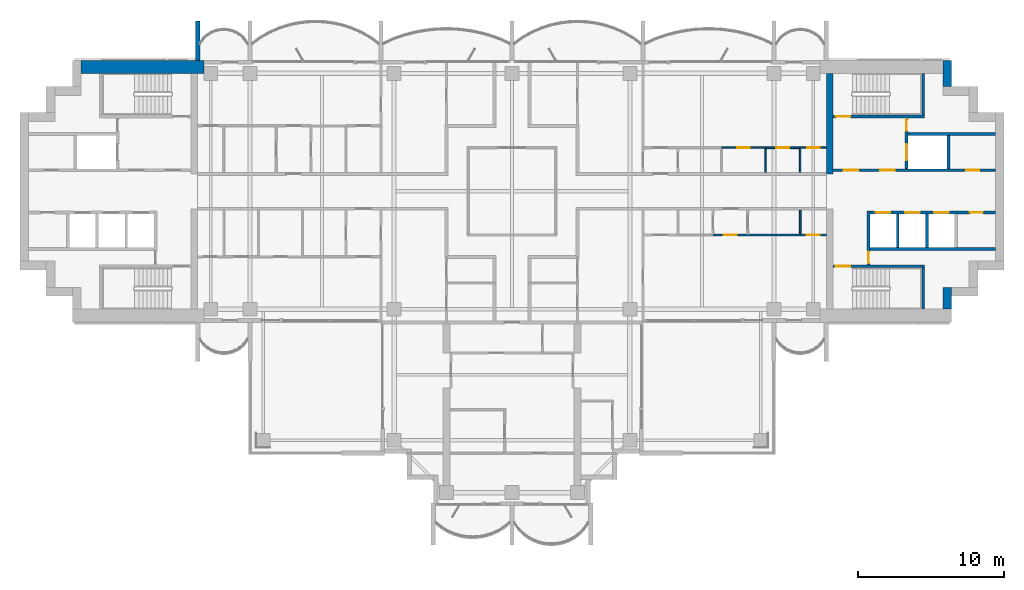
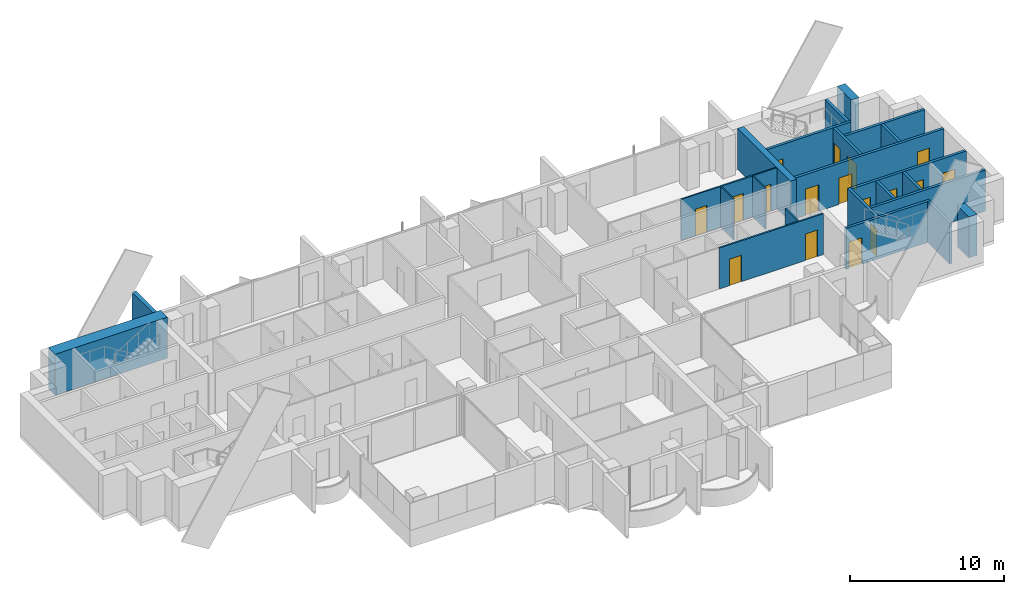
# One storey, part 12 of 17: 25 walls, 17 doors, 17 openings.
"""IFC4 building model written with IfcOpenShell, lengths in metres."""

from ifc_helpers import new_model, si_unit, direction, frame, frame_2d, origin, place, context, subcontext, project, spatial, rectangle, extrude, material, layer, layer_set, type_object, element, fill, save


model = new_model("IFC4")

# Units and contexts
model_context = context("Model", 3, precision=1e-05, world=origin(), true_north=direction((0.0, 1.0)))
body_context = subcontext(model_context, "Body", "Model", "MODEL_VIEW")
ifc_project = project(units=[si_unit("LENGTHUNIT", "METRE"), si_unit("AREAUNIT", "SQUARE_METRE"), si_unit("VOLUMEUNIT", "CUBIC_METRE"), si_unit("PLANEANGLEUNIT", "RADIAN"), si_unit("MASSUNIT", "GRAM", prefix="KILO")], contexts=[model_context])

# Site, building, storey
site_placement = place(None, origin())
site = spatial("IfcSite", under=ifc_project, at=site_placement, CompositionType="ELEMENT")
building_placement = place(site_placement, origin())
building = spatial("IfcBuilding", under=site, at=building_placement, Name="Perihelion Cross Residences", CompositionType="ELEMENT")
storey_placement = place(building_placement, frame((0.0, 0.0, 187.60009765625)))
storey = spatial("IfcBuildingStorey", under=building, at=storey_placement, Name="L46", CompositionType="ELEMENT", Elevation=187.60009765625)

# Walls
ifc_material_1 = material(Name="Concrete C60/75", Category="concrete")
ifc_layer_1 = layer(ifc_material_1, 0.449951171875)
ifc_layer_set_1 = layer_set([ifc_layer_1], Name="Core wall, inner 450")
wall_type_1 = type_object("IfcWallType", Name="Core wall, inner 450", PredefinedType="SHEAR", material=ifc_layer_set_1)
wall_1_placement = place(storey_placement, frame((21.824951171875, 1.199951171875, 0.0), z_axis=(0.0, 0.0, 1.0), x_axis=(0.0, 1.0, 0.0)))
element("IfcWall", 1, at=wall_1_placement, inside=storey, type_object=wall_type_1, Name="East core core wall, inner", PredefinedType="SHEAR", context=body_context, shape_type="SweptSolid", body=[
    extrude(rectangle(XDim=6.900146484375, YDim=0.449951171875, at=frame_2d((3.4501953125, 0.0))), origin(), (0.0, 0.0, 1.0), 3.25),
])
ifc_material_2 = material(Name="Concrete C60/75", Category="concrete")
ifc_layer_2 = layer(ifc_material_2, 0.60009765625)
ifc_layer_set_2 = layer_set([ifc_layer_2], Name="Core wall, outer 600")
wall_type_2 = type_object("IfcWallType", Name="Core wall, outer 600", PredefinedType="SHEAR", material=ifc_layer_set_2)
wall_2_placement = place(storey_placement, frame((29.89990234375, -8.10009765625, 0.0), z_axis=(0.0, 0.0, 1.0), x_axis=(0.0, 1.0, 0.0)))
element("IfcWall", 2, at=wall_2_placement, inside=storey, type_object=wall_type_2, Name="East core core wall, outer", PredefinedType="SHEAR", context=body_context, shape_type="SweptSolid", body=[
    extrude(rectangle(XDim=1.5, YDim=0.60009765625, at=frame_2d((0.75, 0.0))), origin(), (0.0, 0.0, 1.0), 3.25),
])
wall_3_placement = place(storey_placement, frame((29.89990234375, 7.199951171875, 0.0), z_axis=(0.0, 0.0, 1.0), x_axis=(0.0, 1.0, 0.0)))
element("IfcWall", 3, at=wall_3_placement, inside=storey, type_object=wall_type_2, Name="East core core wall, outer", PredefinedType="SHEAR", context=body_context, shape_type="SweptSolid", body=[
    extrude(rectangle(XDim=1.800048828125, YDim=0.60009765625, at=frame_2d((0.89990234375, 0.0))), origin(), (0.0, 0.0, 1.0), 3.25),
])
ifc_material_3 = material(Name="Concrete C60/75", Category="concrete")
ifc_layer_3 = layer(ifc_material_3, 0.89990234375)
ifc_layer_set_3 = layer_set([ifc_layer_3], Name="Core wall, outer 900")
wall_type_3 = type_object("IfcWallType", Name="Core wall, outer 900", PredefinedType="SHEAR", material=ifc_layer_set_3)
wall_4_placement = place(storey_placement, frame((-29.60009765625, 8.550048828125, 0.0), z_axis=(0.0, 0.0, 1.0), x_axis=(1.0, 0.0, 0.0)))
element("IfcWall", 4, at=wall_4_placement, inside=storey, type_object=wall_type_3, Name="West core core wall, outer", PredefinedType="SHEAR", context=body_context, shape_type="SweptSolid", body=[
    extrude(rectangle(XDim=8.425048828125, YDim=0.89990234375, at=frame_2d((4.21240234375, 0.0))), origin(), (0.0, 0.0, 1.0), 3.25),
])

# Wall, opening, door
ifc_material_4 = material(Name="Concrete C50/60", Category="concrete")
ifc_layer_4 = layer(ifc_material_4, 0.199951171875)
ifc_layer_set_4 = layer_set([ifc_layer_4], Name="Lobby wall 200")
wall_type_4 = type_object("IfcWallType", Name="Lobby wall 200", PredefinedType="SOLIDWALL", material=ifc_layer_set_4)
wall_5_placement = place(storey_placement, frame((24.5, -5.050048828125, 0.0), z_axis=(0.0, 0.0, 1.0), x_axis=(0.0, 1.0, 0.0)))
wall_5 = element("IfcWall", 5, at=wall_5_placement, inside=storey, type_object=wall_type_4, Name="East core lobby wall", PredefinedType="SOLIDWALL", context=body_context, shape_type="SweptSolid", body=[
    extrude(rectangle(XDim=3.699951171875, YDim=0.199951171875, at=frame_2d((1.85009765625, 0.0))), origin(), (0.0, 0.0, 1.0), 3.25),
])
opening_1_placement = place(wall_5_placement, frame((0.10009765625, 0.0, 0.0)))
opening_1 = element("IfcOpeningElement", 6, at=opening_1_placement, cuts=wall_5, Name="Opening L46.C08", PredefinedType="OPENING", context=body_context, shape_type="SweptSolid", body=[
    extrude(rectangle(XDim=0.800048828125, YDim=2.10009765625, at=frame_2d((0.39990234375, 1.050048828125))), frame((0.0, 0.10986328125, 0.0), z_axis=(0.0, -1.0, 0.0), x_axis=(1.0, 0.0, 0.0)), (0.0, 0.0, 1.0), 0.219970703125),
])
ifc_material_5 = material(Name="Steel, powder coated", Category="steel")
door_type_1 = type_object("IfcDoorType", Name="Riser door 800", OperationType="SINGLE_SWING_LEFT", PredefinedType="DOOR", material=ifc_material_5)
door_1_placement = place(opening_1_placement, origin())
door_1 = element("IfcDoor", 7, at=door_1_placement, inside=storey, type_object=door_type_1, Name="East core riser door", OperationType="SINGLE_SWING_LEFT", OverallHeight=2.10009765625, OverallWidth=0.800048828125, PredefinedType="DOOR", context=body_context, shape_type="SweptSolid", body=[
    extrude(rectangle(XDim=0.800048828125, YDim=2.10009765625, at=frame_2d((0.39990234375, 1.050048828125))), frame((0.0, 0.02490234375, 0.0), z_axis=(0.0, -1.0, 0.0), x_axis=(1.0, 0.0, 0.0)), (0.0, 0.0, 1.0), 0.050048828125),
])
fill(opening_1, door_1)

ifc_material_6 = material(Name="Plasterboard partition")
ifc_layer_5 = layer(ifc_material_6, 0.1201171875)
ifc_layer_set_5 = layer_set([ifc_layer_5], Name="Partition wall 120")
wall_type_5 = type_object("IfcWallType", Name="Partition wall 120", PredefinedType="PARTITIONING", material=ifc_layer_set_5)
wall_6_placement = place(storey_placement, frame((17.39990234375, 3.0, 0.0), z_axis=(0.0, 0.0, 1.0), x_axis=(1.0, 0.0, 0.0)))
wall_6 = element("IfcWall", 8, at=wall_6_placement, inside=storey, type_object=wall_type_5, Name="Partition L46 W029", PredefinedType="PARTITIONING", context=body_context, shape_type="SweptSolid", body=[
    extrude(rectangle(XDim=2.400146484375, YDim=0.1201171875, at=frame_2d((1.2001953125, 0.0))), origin(), (0.0, 0.0, 1.0), 3.25),
])
opening_2_placement = place(wall_6_placement, frame((0.75, 0.0, 0.0)))
opening_2 = element("IfcOpeningElement", 9, at=opening_2_placement, cuts=wall_6, Name="Opening L46.A08", PredefinedType="OPENING", context=body_context, shape_type="SweptSolid", body=[
    extrude(rectangle(XDim=0.89990234375, YDim=2.10009765625, at=frame_2d((0.449951171875, 1.050048828125))), frame((0.0, 0.070068359375, 0.0), z_axis=(0.0, -1.0, 0.0), x_axis=(1.0, 0.0, 0.0)), (0.0, 0.0, 1.0), 0.14013671875),
])
ifc_material_7 = material(Name="Timber door leaf", Category="wood")
door_type_2 = type_object("IfcDoorType", Name="Interior room door 900 x 2100", OperationType="SINGLE_SWING_LEFT", PredefinedType="DOOR", material=ifc_material_7)
door_2_placement = place(opening_2_placement, origin())
door_2 = element("IfcDoor", 10, at=door_2_placement, inside=storey, type_object=door_type_2, Name="Door L46.A08", OperationType="SINGLE_SWING_RIGHT", OverallHeight=2.10009765625, OverallWidth=0.89990234375, PredefinedType="DOOR", context=body_context, shape_type="SweptSolid", body=[
    extrude(rectangle(XDim=0.89990234375, YDim=2.10009765625, at=frame_2d((0.449951171875, 1.050048828125))), frame((0.0, 0.02490234375, 0.0), z_axis=(0.0, -1.0, 0.0), x_axis=(1.0, 0.0, 0.0)), (0.0, 0.0, 1.0), 0.050048828125),
])
fill(opening_2, door_2)

# Wall, openings, doors
wall_7_placement = place(storey_placement, frame((21.60009765625, -3.0, 0.0), z_axis=(0.0, 0.0, 1.0), x_axis=(-1.0, 0.0, 0.0)))
wall_7 = element("IfcWall", 11, at=wall_7_placement, inside=storey, type_object=wall_type_5, Name="Partition L46 W038", PredefinedType="PARTITIONING", context=body_context, shape_type="SweptSolid", body=[
    extrude(rectangle(XDim=7.800048828125, YDim=0.1201171875, at=frame_2d((3.89990234375, 0.0))), origin(), (0.0, 0.0, 1.0), 3.25),
])
opening_3_placement = place(wall_7_placement, frame((0.449951171875, 0.0, 0.0)))
opening_3 = element("IfcOpeningElement", 12, at=opening_3_placement, cuts=wall_7, Name="Opening L46.A11", PredefinedType="OPENING", context=body_context, shape_type="SweptSolid", body=[
    extrude(rectangle(XDim=0.89990234375, YDim=2.10009765625, at=frame_2d((0.449951171875, 1.050048828125))), frame((0.0, 0.070068359375, 0.0), z_axis=(0.0, -1.0, 0.0), x_axis=(1.0, 0.0, 0.0)), (0.0, 0.0, 1.0), 0.14013671875),
])
opening_4_placement = place(wall_7_placement, frame((6.14990234375, 0.0, 0.0)))
opening_4 = element("IfcOpeningElement", 13, at=opening_4_placement, cuts=wall_7, Name="Opening L46.A15", PredefinedType="OPENING", context=body_context, shape_type="SweptSolid", body=[
    extrude(rectangle(XDim=0.89990234375, YDim=2.10009765625, at=frame_2d((0.449951171875, 1.050048828125))), frame((0.0, 0.070068359375, 0.0), z_axis=(0.0, -1.0, 0.0), x_axis=(1.0, 0.0, 0.0)), (0.0, 0.0, 1.0), 0.14013671875),
])
door_3_placement = place(opening_3_placement, origin())
door_3 = element("IfcDoor", 14, at=door_3_placement, inside=storey, type_object=door_type_2, Name="Door L46.A11", OperationType="SINGLE_SWING_RIGHT", OverallHeight=2.10009765625, OverallWidth=0.89990234375, PredefinedType="DOOR", context=body_context, shape_type="SweptSolid", body=[
    extrude(rectangle(XDim=0.89990234375, YDim=2.10009765625, at=frame_2d((0.449951171875, 1.050048828125))), frame((0.0, 0.02490234375, 0.0), z_axis=(0.0, -1.0, 0.0), x_axis=(1.0, 0.0, 0.0)), (0.0, 0.0, 1.0), 0.050048828125),
])
fill(opening_3, door_3)
door_4_placement = place(opening_4_placement, origin())
door_4 = element("IfcDoor", 15, at=door_4_placement, inside=storey, type_object=door_type_2, Name="Door L46.A15", OperationType="SINGLE_SWING_RIGHT", OverallHeight=2.10009765625, OverallWidth=0.89990234375, PredefinedType="DOOR", context=body_context, shape_type="SweptSolid", body=[
    extrude(rectangle(XDim=0.89990234375, YDim=2.10009765625, at=frame_2d((0.449951171875, 1.050048828125))), frame((0.0, 0.02490234375, 0.0), z_axis=(0.0, -1.0, 0.0), x_axis=(1.0, 0.0, 0.0)), (0.0, 0.0, 1.0), 0.050048828125),
])
fill(opening_4, door_4)

# Walls
wall_8_placement = place(storey_placement, frame((19.800048828125, -1.300048828125, 0.0), z_axis=(0.0, 0.0, 1.0), x_axis=(0.0, -1.0, 0.0)))
element("IfcWall", 16, at=wall_8_placement, inside=storey, type_object=wall_type_5, Name="Partition L46 W039", PredefinedType="PARTITIONING", context=body_context, shape_type="SweptSolid", body=[
    extrude(rectangle(XDim=1.639892578125, YDim=0.1201171875, at=frame_2d((0.81982421875, 0.0))), origin(), (0.0, 0.0, 1.0), 3.25),
])
ifc_material_8 = material(Name="Precast concrete C50/60", Category="concrete")
ifc_layer_6 = layer(ifc_material_8, 0.300048828125)
ifc_layer_set_6 = layer_set([ifc_layer_6], Name="Precast concrete C50/60 blade wall 300")
wall_type_6 = type_object("IfcWallType", Name="Precast concrete C50/60 blade wall 300", PredefinedType="SOLIDWALL", material=ifc_layer_set_6)
wall_9_placement = place(storey_placement, frame((-21.60009765625, 9.0, 0.0), z_axis=(0.0, 0.0, 1.0), x_axis=(0.0, 1.0, 0.0)))
element("IfcWall", 17, at=wall_9_placement, inside=storey, type_object=wall_type_6, Name="Wall BL1 L46 no. 4", PredefinedType="SOLIDWALL", context=body_context, shape_type="SweptSolid", body=[
    extrude(rectangle(XDim=2.699951171875, YDim=0.300048828125, at=frame_2d((1.35009765625, 0.0))), origin(), (0.0, 0.0, 1.0), 3.25),
])

# Wall, openings, doors
ifc_material_9 = material(Name="Concrete C50/60", Category="concrete")
ifc_layer_7 = layer(ifc_material_9, 0.199951171875)
ifc_layer_set_7 = layer_set([ifc_layer_7], Name="Shaft wall 200")
wall_type_7 = type_object("IfcWallType", Name="Shaft wall 200", PredefinedType="SOLIDWALL", material=ifc_layer_set_7)
wall_10_placement = place(storey_placement, frame((22.050048828125, 1.449951171875, 0.0), z_axis=(0.0, 0.0, 1.0), x_axis=(1.0, 0.0, 0.0)))
wall_10 = element("IfcWall", 18, at=wall_10_placement, inside=storey, type_object=wall_type_7, Name="East core shaft wall", PredefinedType="SOLIDWALL", context=body_context, shape_type="SweptSolid", body=[
    extrude(rectangle(XDim=11.14990234375, YDim=0.199951171875, at=frame_2d((5.574951171875, 0.0))), origin(), (0.0, 0.0, 1.0), 3.25),
])
opening_5_placement = place(wall_10_placement, frame((0.75, 0.0, 0.0)))
opening_5 = element("IfcOpeningElement", 19, at=opening_5_placement, cuts=wall_10, Name="Opening L46.C07", PredefinedType="OPENING", context=body_context, shape_type="SweptSolid", body=[
    extrude(rectangle(XDim=1.0, YDim=2.10009765625, at=frame_2d((0.5, 1.050048828125))), frame((0.0, 0.10986328125, 0.0), z_axis=(0.0, -1.0, 0.0), x_axis=(1.0, 0.0, 0.0)), (0.0, 0.0, 1.0), 0.219970703125),
])
opening_6_placement = place(wall_10_placement, frame((3.25, 0.0, 0.0)))
opening_6 = element("IfcOpeningElement", 20, at=opening_6_placement, cuts=wall_10, Name="Opening L46.C09", PredefinedType="OPENING", context=body_context, shape_type="SweptSolid", body=[
    extrude(rectangle(XDim=1.0, YDim=2.10009765625, at=frame_2d((0.5, 1.050048828125))), frame((0.0, 0.10986328125, 0.0), z_axis=(0.0, -1.0, 0.0), x_axis=(1.0, 0.0, 0.0)), (0.0, 0.0, 1.0), 0.219970703125),
])
opening_7_placement = place(wall_10_placement, frame((9.14990234375, 0.0, 0.0)))
opening_7 = element("IfcOpeningElement", 21, at=opening_7_placement, cuts=wall_10, Name="Opening L46.C11", PredefinedType="OPENING", context=body_context, shape_type="SweptSolid", body=[
    extrude(rectangle(XDim=0.89990234375, YDim=2.10009765625, at=frame_2d((0.449951171875, 1.050048828125))), frame((0.0, 0.10986328125, 0.0), z_axis=(0.0, -1.0, 0.0), x_axis=(1.0, 0.0, 0.0)), (0.0, 0.0, 1.0), 0.219970703125),
])
ifc_material_10 = material(Name="Steel, powder coated", Category="steel")
door_type_3 = type_object("IfcDoorType", Name="Lobby door 1000", OperationType="SINGLE_SWING_LEFT", PredefinedType="DOOR", material=ifc_material_10)
door_5_placement = place(opening_5_placement, origin())
door_5 = element("IfcDoor", 22, at=door_5_placement, inside=storey, type_object=door_type_3, Name="East core firefighting lobby door", OperationType="SINGLE_SWING_LEFT", OverallHeight=2.10009765625, OverallWidth=1.0, PredefinedType="DOOR", context=body_context, shape_type="SweptSolid", body=[
    extrude(rectangle(XDim=1.0, YDim=2.10009765625, at=frame_2d((0.5, 1.050048828125))), frame((0.0, 0.02490234375, 0.0), z_axis=(0.0, -1.0, 0.0), x_axis=(1.0, 0.0, 0.0)), (0.0, 0.0, 1.0), 0.050048828125),
])
fill(opening_5, door_5)
door_6_placement = place(opening_6_placement, origin())
door_6 = element("IfcDoor", 23, at=door_6_placement, inside=storey, type_object=door_type_3, Name="East core firefighting lobby door", OperationType="SINGLE_SWING_LEFT", OverallHeight=2.10009765625, OverallWidth=1.0, PredefinedType="DOOR", context=body_context, shape_type="SweptSolid", body=[
    extrude(rectangle(XDim=1.0, YDim=2.10009765625, at=frame_2d((0.5, 1.050048828125))), frame((0.0, 0.02490234375, 0.0), z_axis=(0.0, -1.0, 0.0), x_axis=(1.0, 0.0, 0.0)), (0.0, 0.0, 1.0), 0.050048828125),
])
fill(opening_6, door_6)
ifc_material_11 = material(Name="Steel, powder coated", Category="steel")
door_type_4 = type_object("IfcDoorType", Name="Service room door 900", OperationType="SINGLE_SWING_LEFT", PredefinedType="DOOR", material=ifc_material_11)
door_7_placement = place(opening_7_placement, origin())
door_7 = element("IfcDoor", 24, at=door_7_placement, inside=storey, type_object=door_type_4, Name="East core service room door", OperationType="SINGLE_SWING_LEFT", OverallHeight=2.10009765625, OverallWidth=0.89990234375, PredefinedType="DOOR", context=body_context, shape_type="SweptSolid", body=[
    extrude(rectangle(XDim=0.89990234375, YDim=2.10009765625, at=frame_2d((0.449951171875, 1.050048828125))), frame((0.0, 0.02490234375, 0.0), z_axis=(0.0, -1.0, 0.0), x_axis=(1.0, 0.0, 0.0)), (0.0, 0.0, 1.0), 0.050048828125),
])
fill(opening_7, door_7)

wall_11_placement = place(storey_placement, frame((24.60009765625, -1.449951171875, 0.0), z_axis=(0.0, 0.0, 1.0), x_axis=(1.0, 0.0, 0.0)))
wall_11 = element("IfcWall", 25, at=wall_11_placement, inside=storey, type_object=wall_type_7, Name="East core shaft wall", PredefinedType="SOLIDWALL", context=body_context, shape_type="SweptSolid", body=[
    extrude(rectangle(XDim=8.599853515625, YDim=0.199951171875, at=frame_2d((4.2998046875, 0.0))), origin(), (0.0, 0.0, 1.0), 3.25),
])
opening_8_placement = place(wall_11_placement, frame((0.39990234375, 0.0, 0.0)))
opening_8 = element("IfcOpeningElement", 26, at=opening_8_placement, cuts=wall_11, Name="Opening L46.C01", PredefinedType="OPENING", context=body_context, shape_type="SweptSolid", body=[
    extrude(rectangle(XDim=1.0, YDim=2.10009765625, at=frame_2d((0.5, 1.050048828125))), frame((0.0, 0.10986328125, 0.0), z_axis=(0.0, -1.0, 0.0), x_axis=(1.0, 0.0, 0.0)), (0.0, 0.0, 1.0), 0.219970703125),
])
opening_9_placement = place(wall_11_placement, frame((2.39990234375, 0.0, 0.0)))
opening_9 = element("IfcOpeningElement", 27, at=opening_9_placement, cuts=wall_11, Name="Opening L46.C03", PredefinedType="OPENING", context=body_context, shape_type="SweptSolid", body=[
    extrude(rectangle(XDim=1.0, YDim=2.10009765625, at=frame_2d((0.5, 1.050048828125))), frame((0.0, 0.10986328125, 0.0), z_axis=(0.0, -1.0, 0.0), x_axis=(1.0, 0.0, 0.0)), (0.0, 0.0, 1.0), 0.219970703125),
])
opening_10_placement = place(wall_11_placement, frame((4.39990234375, 0.0, 0.0)))
opening_10 = element("IfcOpeningElement", 28, at=opening_10_placement, cuts=wall_11, Name="Opening L46.C04", PredefinedType="OPENING", context=body_context, shape_type="SweptSolid", body=[
    extrude(rectangle(XDim=1.0, YDim=2.10009765625, at=frame_2d((0.5, 1.050048828125))), frame((0.0, 0.10986328125, 0.0), z_axis=(0.0, -1.0, 0.0), x_axis=(1.0, 0.0, 0.0)), (0.0, 0.0, 1.0), 0.219970703125),
])
opening_11_placement = place(wall_11_placement, frame((6.85009765625, 0.0, 0.0)))
opening_11 = element("IfcOpeningElement", 29, at=opening_11_placement, cuts=wall_11, Name="Opening L46.C12", PredefinedType="OPENING", context=body_context, shape_type="SweptSolid", body=[
    extrude(rectangle(XDim=0.89990234375, YDim=2.10009765625, at=frame_2d((0.449951171875, 1.050048828125))), frame((0.0, 0.10986328125, 0.0), z_axis=(0.0, -1.0, 0.0), x_axis=(1.0, 0.0, 0.0)), (0.0, 0.0, 1.0), 0.219970703125),
])
ifc_material_12 = material(Name="Stainless steel", Category="steel")
door_type_5 = type_object("IfcDoorType", Name="Landing door 1000", OperationType="DOUBLE_DOOR_SLIDING", PredefinedType="DOOR", material=ifc_material_12)
door_8_placement = place(opening_8_placement, origin())
door_8 = element("IfcDoor", 30, at=door_8_placement, inside=storey, type_object=door_type_5, Name="Landing door, East core high-rise lift 1", OperationType="DOUBLE_DOOR_SLIDING", OverallHeight=2.10009765625, OverallWidth=1.0, PredefinedType="DOOR", context=body_context, shape_type="SweptSolid", body=[
    extrude(rectangle(XDim=1.0, YDim=2.10009765625, at=frame_2d((0.5, 1.050048828125))), frame((0.0, 0.02490234375, 0.0), z_axis=(0.0, -1.0, 0.0), x_axis=(1.0, 0.0, 0.0)), (0.0, 0.0, 1.0), 0.050048828125),
])
fill(opening_8, door_8)
door_9_placement = place(opening_9_placement, origin())
door_9 = element("IfcDoor", 31, at=door_9_placement, inside=storey, type_object=door_type_5, Name="Landing door, East core high-rise lift 2", OperationType="DOUBLE_DOOR_SLIDING", OverallHeight=2.10009765625, OverallWidth=1.0, PredefinedType="DOOR", context=body_context, shape_type="SweptSolid", body=[
    extrude(rectangle(XDim=1.0, YDim=2.10009765625, at=frame_2d((0.5, 1.050048828125))), frame((0.0, 0.02490234375, 0.0), z_axis=(0.0, -1.0, 0.0), x_axis=(1.0, 0.0, 0.0)), (0.0, 0.0, 1.0), 0.050048828125),
])
fill(opening_9, door_9)
door_10_placement = place(opening_10_placement, origin())
door_10 = element("IfcDoor", 32, at=door_10_placement, inside=storey, type_object=door_type_5, Name="Landing door, East core high-rise lift 3", OperationType="DOUBLE_DOOR_SLIDING", OverallHeight=2.10009765625, OverallWidth=1.0, PredefinedType="DOOR", context=body_context, shape_type="SweptSolid", body=[
    extrude(rectangle(XDim=1.0, YDim=2.10009765625, at=frame_2d((0.5, 1.050048828125))), frame((0.0, 0.02490234375, 0.0), z_axis=(0.0, -1.0, 0.0), x_axis=(1.0, 0.0, 0.0)), (0.0, 0.0, 1.0), 0.050048828125),
])
fill(opening_10, door_10)
door_11_placement = place(opening_11_placement, origin())
door_11 = element("IfcDoor", 33, at=door_11_placement, inside=storey, type_object=door_type_4, Name="East core service room door", OperationType="SINGLE_SWING_LEFT", OverallHeight=2.10009765625, OverallWidth=0.89990234375, PredefinedType="DOOR", context=body_context, shape_type="SweptSolid", body=[
    extrude(rectangle(XDim=0.89990234375, YDim=2.10009765625, at=frame_2d((0.449951171875, 1.050048828125))), frame((0.0, 0.02490234375, 0.0), z_axis=(0.0, -1.0, 0.0), x_axis=(1.0, 0.0, 0.0)), (0.0, 0.0, 1.0), 0.050048828125),
])
fill(opening_11, door_11)

# Walls
wall_12_placement = place(storey_placement, frame((27.199951171875, 3.949951171875, 0.0), z_axis=(0.0, 0.0, 1.0), x_axis=(1.0, 0.0, 0.0)))
element("IfcWall", 34, at=wall_12_placement, inside=storey, type_object=wall_type_7, Name="East core shaft wall", PredefinedType="SOLIDWALL", context=body_context, shape_type="SweptSolid", body=[
    extrude(rectangle(XDim=6.0, YDim=0.199951171875, at=frame_2d((3.0, 0.0))), origin(), (0.0, 0.0, 1.0), 3.25),
])
wall_13_placement = place(storey_placement, frame((24.60009765625, -3.949951171875, 0.0), z_axis=(0.0, 0.0, 1.0), x_axis=(1.0, 0.0, 0.0)))
element("IfcWall", 35, at=wall_13_placement, inside=storey, type_object=wall_type_7, Name="East core shaft wall", PredefinedType="SOLIDWALL", context=body_context, shape_type="SweptSolid", body=[
    extrude(rectangle(XDim=8.599853515625, YDim=0.199951171875, at=frame_2d((4.2998046875, 0.0))), origin(), (0.0, 0.0, 1.0), 3.25),
])

# Wall, openings, doors
wall_14_placement = place(storey_placement, frame((27.10009765625, 1.550048828125, 0.0), z_axis=(0.0, 0.0, 1.0), x_axis=(0.0, 1.0, 0.0)))
wall_14 = element("IfcWall", 36, at=wall_14_placement, inside=storey, type_object=wall_type_7, Name="East core shaft wall", PredefinedType="SOLIDWALL", context=body_context, shape_type="SweptSolid", body=[
    extrude(rectangle(XDim=3.5, YDim=0.199951171875, at=frame_2d((1.75, 0.0))), origin(), (0.0, 0.0, 1.0), 3.25),
])
opening_12_placement = place(wall_14_placement, frame((0.60009765625, 0.0, 0.0)))
opening_12 = element("IfcOpeningElement", 37, at=opening_12_placement, cuts=wall_14, Name="Opening L46.C02", PredefinedType="OPENING", context=body_context, shape_type="SweptSolid", body=[
    extrude(rectangle(XDim=1.10009765625, YDim=2.10009765625, at=frame_2d((0.550048828125, 1.050048828125))), frame((0.0, 0.10986328125, 0.0), z_axis=(0.0, -1.0, 0.0), x_axis=(1.0, 0.0, 0.0)), (0.0, 0.0, 1.0), 0.219970703125),
])
opening_13_placement = place(wall_14_placement, frame((2.60009765625, 0.0, 0.0)))
opening_13 = element("IfcOpeningElement", 38, at=opening_13_placement, cuts=wall_14, Name="Opening L46.C10", PredefinedType="OPENING", context=body_context, shape_type="SweptSolid", body=[
    extrude(rectangle(XDim=0.800048828125, YDim=2.10009765625, at=frame_2d((0.39990234375, 1.050048828125))), frame((0.0, 0.10986328125, 0.0), z_axis=(0.0, -1.0, 0.0), x_axis=(1.0, 0.0, 0.0)), (0.0, 0.0, 1.0), 0.219970703125),
])
ifc_material_13 = material(Name="Stainless steel", Category="steel")
door_type_6 = type_object("IfcDoorType", Name="Landing door, firefighting lift 1100", OperationType="DOUBLE_DOOR_SLIDING", PredefinedType="DOOR", material=ifc_material_13)
door_12_placement = place(opening_12_placement, origin())
door_12 = element("IfcDoor", 39, at=door_12_placement, inside=storey, type_object=door_type_6, Name="Landing door, East core firefighting and service lift", OperationType="DOUBLE_DOOR_SLIDING", OverallHeight=2.10009765625, OverallWidth=1.10009765625, PredefinedType="DOOR", context=body_context, shape_type="SweptSolid", body=[
    extrude(rectangle(XDim=1.10009765625, YDim=2.10009765625, at=frame_2d((0.550048828125, 1.050048828125))), frame((0.0, 0.02490234375, 0.0), z_axis=(0.0, -1.0, 0.0), x_axis=(1.0, 0.0, 0.0)), (0.0, 0.0, 1.0), 0.050048828125),
])
fill(opening_12, door_12)
door_13_placement = place(opening_13_placement, origin())
door_13 = element("IfcDoor", 40, at=door_13_placement, inside=storey, type_object=door_type_1, Name="East core riser door", OperationType="SINGLE_SWING_LEFT", OverallHeight=2.10009765625, OverallWidth=0.800048828125, PredefinedType="DOOR", context=body_context, shape_type="SweptSolid", body=[
    extrude(rectangle(XDim=0.800048828125, YDim=2.10009765625, at=frame_2d((0.39990234375, 1.050048828125))), frame((0.0, 0.02490234375, 0.0), z_axis=(0.0, -1.0, 0.0), x_axis=(1.0, 0.0, 0.0)), (0.0, 0.0, 1.0), 0.050048828125),
])
fill(opening_13, door_13)

# Walls
for number, where, z_axis, x_axis, name in (
    (41, (30.0, 1.550048828125, 0.0), (0.0, 0.0, 1.0), (0.0, 1.0, 0.0), "East core shaft wall"),
    (42, (26.5, -3.85009765625, 0.0), (0.0, 0.0, 1.0), (0.0, 1.0, 0.0), "East core shaft wall"),
    (43, (28.5, -3.85009765625, 0.0), (0.0, 0.0, 1.0), (0.0, 1.0, 0.0), "East core shaft wall"),
):
    element("IfcWall", number, at=place(storey_placement, frame(where, z_axis=z_axis, x_axis=x_axis)), inside=storey, type_object=wall_type_7, Name=name, PredefinedType="SOLIDWALL", context=body_context, shape_type="SweptSolid", body=[
        extrude(rectangle(XDim=2.300048828125, YDim=0.199951171875, at=frame_2d((1.14990234375, 0.0))), origin(), (0.0, 0.0, 1.0), 3.25),
    ])

# Wall, opening, door
ifc_material_14 = material(Name="Concrete C50/60", Category="concrete")
ifc_layer_8 = layer(ifc_material_14, 0.199951171875)
ifc_layer_set_8 = layer_set([ifc_layer_8], Name="Stair wall 200")
wall_type_8 = type_object("IfcWallType", Name="Stair wall 200", PredefinedType="SOLIDWALL", material=ifc_layer_set_8)
wall_15_placement = place(storey_placement, frame((22.050048828125, 5.14990234375, 0.0), z_axis=(0.0, 0.0, 1.0), x_axis=(1.0, 0.0, 0.0)))
wall_15 = element("IfcWall", 44, at=wall_15_placement, inside=storey, type_object=wall_type_8, Name="East core stair wall", PredefinedType="SOLIDWALL", context=body_context, shape_type="SweptSolid", body=[
    extrude(rectangle(XDim=6.300048828125, YDim=0.199951171875, at=frame_2d((3.14990234375, 0.0))), origin(), (0.0, 0.0, 1.0), 3.25),
])
opening_14_placement = place(wall_15_placement, frame((0.199951171875, 0.0, 0.0)))
opening_14 = element("IfcOpeningElement", 45, at=opening_14_placement, cuts=wall_15, Name="Opening L46.C06", PredefinedType="OPENING", context=body_context, shape_type="SweptSolid", body=[
    extrude(rectangle(XDim=1.0, YDim=2.10009765625, at=frame_2d((0.5, 1.050048828125))), frame((0.0, 0.10986328125, 0.0), z_axis=(0.0, -1.0, 0.0), x_axis=(1.0, 0.0, 0.0)), (0.0, 0.0, 1.0), 0.219970703125),
])
ifc_material_15 = material(Name="Steel, powder coated", Category="steel")
door_type_7 = type_object("IfcDoorType", Name="Stair door 1000", OperationType="SINGLE_SWING_LEFT", PredefinedType="DOOR", material=ifc_material_15)
door_14_placement = place(opening_14_placement, origin())
door_14 = element("IfcDoor", 46, at=door_14_placement, inside=storey, type_object=door_type_7, Name="East core stair door", OperationType="SINGLE_SWING_LEFT", OverallHeight=2.10009765625, OverallWidth=1.0, PredefinedType="DOOR", context=body_context, shape_type="SweptSolid", body=[
    extrude(rectangle(XDim=1.0, YDim=2.10009765625, at=frame_2d((0.5, 1.050048828125))), frame((0.0, 0.02490234375, 0.0), z_axis=(0.0, -1.0, 0.0), x_axis=(1.0, 0.0, 0.0)), (0.0, 0.0, 1.0), 0.050048828125),
])
fill(opening_14, door_14)

wall_16_placement = place(storey_placement, frame((22.050048828125, -5.14990234375, 0.0), z_axis=(0.0, 0.0, 1.0), x_axis=(1.0, 0.0, 0.0)))
wall_16 = element("IfcWall", 47, at=wall_16_placement, inside=storey, type_object=wall_type_8, Name="East core stair wall", PredefinedType="SOLIDWALL", context=body_context, shape_type="SweptSolid", body=[
    extrude(rectangle(XDim=6.300048828125, YDim=0.199951171875, at=frame_2d((3.14990234375, 0.0))), origin(), (0.0, 0.0, 1.0), 3.25),
])
opening_15_placement = place(wall_16_placement, frame((0.199951171875, 0.0, 0.0)))
opening_15 = element("IfcOpeningElement", 48, at=opening_15_placement, cuts=wall_16, Name="Opening L46.C05", PredefinedType="OPENING", context=body_context, shape_type="SweptSolid", body=[
    extrude(rectangle(XDim=1.0, YDim=2.10009765625, at=frame_2d((0.5, 1.050048828125))), frame((0.0, 0.10986328125, 0.0), z_axis=(0.0, -1.0, 0.0), x_axis=(1.0, 0.0, 0.0)), (0.0, 0.0, 1.0), 0.219970703125),
])
door_15_placement = place(opening_15_placement, origin())
door_15 = element("IfcDoor", 49, at=door_15_placement, inside=storey, type_object=door_type_7, Name="East core stair door", OperationType="SINGLE_SWING_LEFT", OverallHeight=2.10009765625, OverallWidth=1.0, PredefinedType="DOOR", context=body_context, shape_type="SweptSolid", body=[
    extrude(rectangle(XDim=1.0, YDim=2.10009765625, at=frame_2d((0.5, 1.050048828125))), frame((0.0, 0.02490234375, 0.0), z_axis=(0.0, -1.0, 0.0), x_axis=(1.0, 0.0, 0.0)), (0.0, 0.0, 1.0), 0.050048828125),
])
fill(opening_15, door_15)

# Walls
for number, where, z_axis, x_axis, name in (
    (50, (28.25, 5.25, 0.0), (0.0, 0.0, 1.0), (0.0, 1.0, 0.0), "East core stair wall"),
    (51, (28.25, -8.10009765625, 0.0), (0.0, 0.0, 1.0), (0.0, 1.0, 0.0), "East core stair wall"),
):
    element("IfcWall", number, at=place(storey_placement, frame(where, z_axis=z_axis, x_axis=x_axis)), inside=storey, type_object=wall_type_8, Name=name, PredefinedType="SOLIDWALL", context=body_context, shape_type="SweptSolid", body=[
        extrude(rectangle(XDim=2.85009765625, YDim=0.199951171875, at=frame_2d((1.425048828125, 0.0))), origin(), (0.0, 0.0, 1.0), 3.25),
    ])
ifc_material_16 = material(Name="Plasterboard partition")
ifc_layer_9 = layer(ifc_material_16, 0.10009765625)
ifc_layer_set_9 = layer_set([ifc_layer_9], Name="Wet room wall 100")
wall_type_9 = type_object("IfcWallType", Name="Wet room wall 100", PredefinedType="PARTITIONING", material=ifc_layer_set_9)
wall_17_placement = place(storey_placement, frame((17.39990234375, 2.93994140625, 0.0), z_axis=(0.0, 0.0, 1.0), x_axis=(0.0, -1.0, 0.0)))
element("IfcWall", 52, at=wall_17_placement, inside=storey, type_object=wall_type_9, Name="Partition L46 W026", PredefinedType="PARTITIONING", context=body_context, shape_type="SweptSolid", body=[
    extrude(rectangle(XDim=1.639892578125, YDim=0.10009765625, at=frame_2d((0.81982421875, 0.0))), origin(), (0.0, 0.0, 1.0), 3.25),
])

# Wall, opening, door
wall_18_placement = place(storey_placement, frame((14.39990234375, 3.0, 0.0), z_axis=(0.0, 0.0, 1.0), x_axis=(1.0, 0.0, 0.0)))
wall_18 = element("IfcWall", 53, at=wall_18_placement, inside=storey, type_object=wall_type_9, Name="Partition L46 W027", PredefinedType="PARTITIONING", context=body_context, shape_type="SweptSolid", body=[
    extrude(rectangle(XDim=3.0, YDim=0.10009765625, at=frame_2d((1.5, 0.0))), origin(), (0.0, 0.0, 1.0), 3.25),
])
opening_16_placement = place(wall_18_placement, frame((1.074951171875, 0.0, 0.0)))
opening_16 = element("IfcOpeningElement", 54, at=opening_16_placement, cuts=wall_18, Name="Opening L46.A02", PredefinedType="OPENING", context=body_context, shape_type="SweptSolid", body=[
    extrude(rectangle(XDim=0.85009765625, YDim=2.10009765625, at=frame_2d((0.425048828125, 1.050048828125))), frame((0.0, 0.06005859375, 0.0), z_axis=(0.0, -1.0, 0.0), x_axis=(1.0, 0.0, 0.0)), (0.0, 0.0, 1.0), 0.1201171875),
])
ifc_material_17 = material(Name="Timber door leaf", Category="wood")
door_type_8 = type_object("IfcDoorType", Name="Interior bathroom door 850 x 2100", OperationType="SINGLE_SWING_LEFT", PredefinedType="DOOR", material=ifc_material_17)
door_16_placement = place(opening_16_placement, origin())
door_16 = element("IfcDoor", 55, at=door_16_placement, inside=storey, type_object=door_type_8, Name="Door L46.A02", OperationType="SINGLE_SWING_RIGHT", OverallHeight=2.10009765625, OverallWidth=0.85009765625, PredefinedType="DOOR", context=body_context, shape_type="SweptSolid", body=[
    extrude(rectangle(XDim=0.85009765625, YDim=2.10009765625, at=frame_2d((0.425048828125, 1.050048828125))), frame((0.0, 0.02490234375, 0.0), z_axis=(0.0, -1.0, 0.0), x_axis=(1.0, 0.0, 0.0)), (0.0, 0.0, 1.0), 0.050048828125),
])
fill(opening_16, door_16)

# Wall
wall_19_placement = place(storey_placement, frame((19.800048828125, 2.93994140625, 0.0), z_axis=(0.0, 0.0, 1.0), x_axis=(0.0, -1.0, 0.0)))
element("IfcWall", 56, at=wall_19_placement, inside=storey, type_object=wall_type_9, Name="Partition L46 W028", PredefinedType="PARTITIONING", context=body_context, shape_type="SweptSolid", body=[
    extrude(rectangle(XDim=1.639892578125, YDim=0.10009765625, at=frame_2d((0.81982421875, 0.0))), origin(), (0.0, 0.0, 1.0), 3.25),
])

# Wall, opening, door
wall_20_placement = place(storey_placement, frame((19.800048828125, 3.0, 0.0), z_axis=(0.0, 0.0, 1.0), x_axis=(1.0, 0.0, 0.0)))
wall_20 = element("IfcWall", 57, at=wall_20_placement, inside=storey, type_object=wall_type_9, Name="Partition L46 W030", PredefinedType="PARTITIONING", context=body_context, shape_type="SweptSolid", body=[
    extrude(rectangle(XDim=1.800048828125, YDim=0.10009765625, at=frame_2d((0.89990234375, 0.0))), origin(), (0.0, 0.0, 1.0), 3.25),
])
opening_17_placement = place(wall_20_placement, frame((0.47509765625, 0.0, 0.0)))
opening_17 = element("IfcOpeningElement", 58, at=opening_17_placement, cuts=wall_20, Name="Opening L46.A05", PredefinedType="OPENING", context=body_context, shape_type="SweptSolid", body=[
    extrude(rectangle(XDim=0.85009765625, YDim=2.10009765625, at=frame_2d((0.425048828125, 1.050048828125))), frame((0.0, 0.06005859375, 0.0), z_axis=(0.0, -1.0, 0.0), x_axis=(1.0, 0.0, 0.0)), (0.0, 0.0, 1.0), 0.1201171875),
])
door_17_placement = place(opening_17_placement, origin())
door_17 = element("IfcDoor", 59, at=door_17_placement, inside=storey, type_object=door_type_8, Name="Door L46.A05", OperationType="SINGLE_SWING_RIGHT", OverallHeight=2.10009765625, OverallWidth=0.85009765625, PredefinedType="DOOR", context=body_context, shape_type="SweptSolid", body=[
    extrude(rectangle(XDim=0.85009765625, YDim=2.10009765625, at=frame_2d((0.425048828125, 1.050048828125))), frame((0.0, 0.02490234375, 0.0), z_axis=(0.0, -1.0, 0.0), x_axis=(1.0, 0.0, 0.0)), (0.0, 0.0, 1.0), 0.050048828125),
])
fill(opening_17, door_17)

save(model, "model.ifc")
